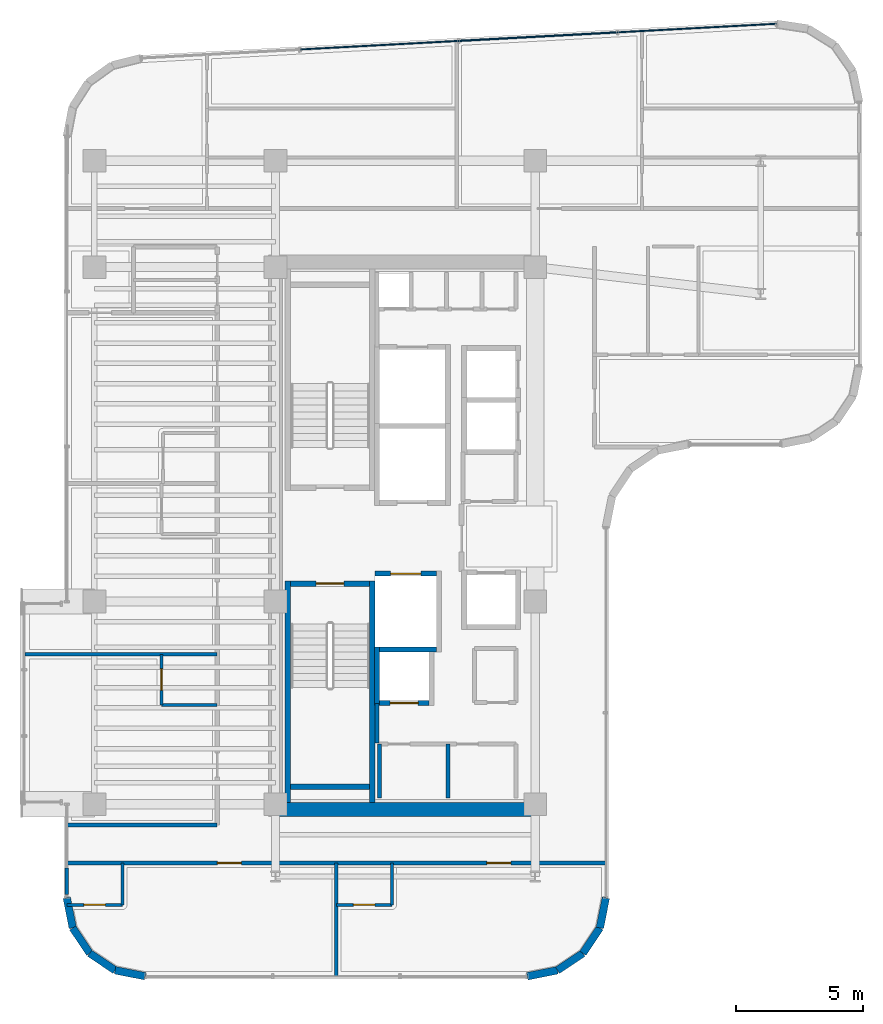
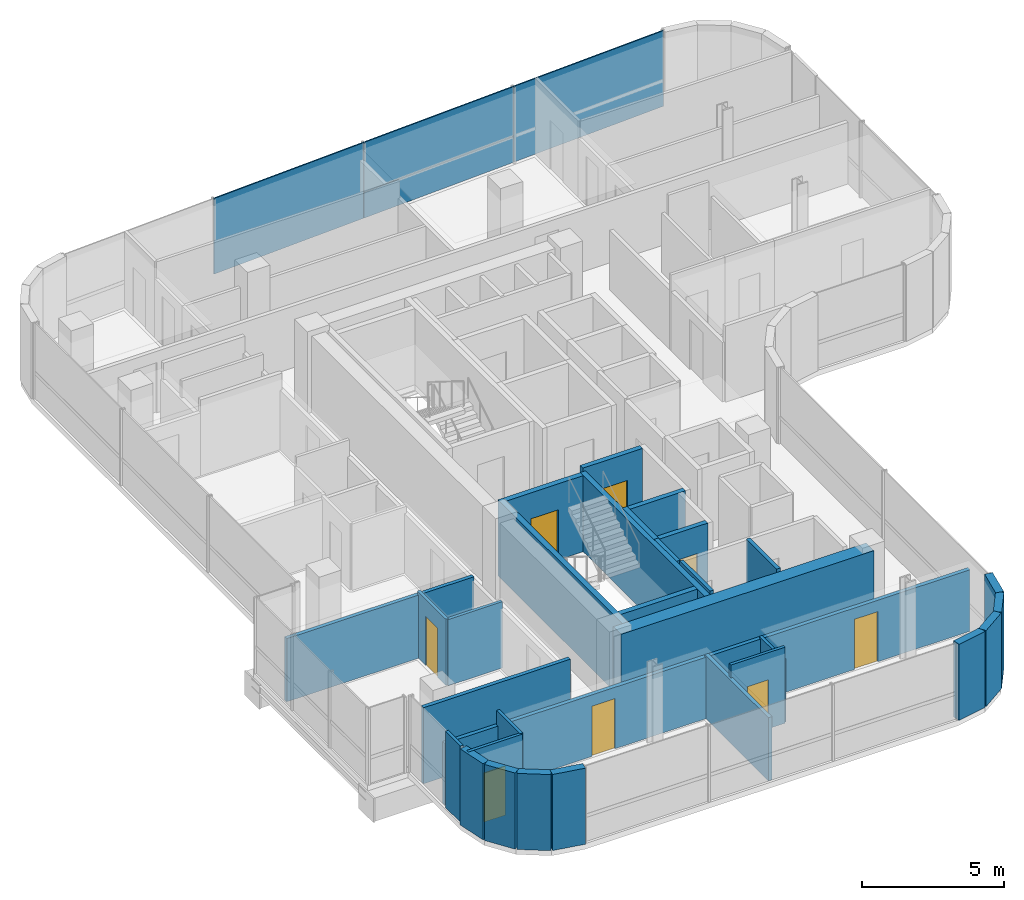
# One storey, part 18 of 24: 31 walls, 8 doors, 4 plates, 8 openings, 1 element without a shape of its own.
"""IFC4 building model written with IfcOpenShell, lengths in metres."""

from ifc_helpers import new_model, si_unit, direction, frame, frame_2d, origin, origin_2d, place, context, subcontext, project, spatial, rectangle, extrude, source, transform, mapped, material, layer, layer_set, type_object, element, fill, aggregate, save


model = new_model("IFC4")

# Units and contexts
model_context = context("Model", 3, precision=1e-05, world=origin(), true_north=direction((0.0, 1.0)))
body_context = subcontext(model_context, "Body", "Model", "MODEL_VIEW")
ifc_project = project(units=[si_unit("LENGTHUNIT", "METRE"), si_unit("AREAUNIT", "SQUARE_METRE"), si_unit("VOLUMEUNIT", "CUBIC_METRE"), si_unit("PLANEANGLEUNIT", "RADIAN"), si_unit("MASSUNIT", "GRAM", prefix="KILO")], contexts=[model_context])

# Site, building, storey
site_placement = place(None, origin())
site = spatial("IfcSite", under=ifc_project, at=site_placement, CompositionType="ELEMENT")
building_placement = place(site_placement, origin())
building = spatial("IfcBuilding", under=site, at=building_placement, Name="Valdorenza Pilgrim Sanctuary Tower", CompositionType="ELEMENT")
storey_placement = place(building_placement, frame((0.0, 0.0, 230.0)))
storey = spatial("IfcBuildingStorey", under=building, at=storey_placement, Name="L59", CompositionType="ELEMENT", Elevation=230.0)

# Curtain wall, plates
ifc_material_1 = material(Name="Curtain-wall IGU glazing", Category="glass")
curtain_wall_type = type_object("IfcCurtainWallType", Name="CW-SYS-02", PredefinedType="NOTDEFINED", material=ifc_material_1)
curtain_wall_placement = place(storey_placement, origin())
curtain_wall = element("IfcCurtainWall", 1, at=curtain_wall_placement, inside=storey, type_object=curtain_wall_type, Name="L59 Curtain Wall CW-L59-1-6", PredefinedType="NOTDEFINED")
ifc_material_2 = material(Name="Honed travertine limestone", Category="masonry")
ifc_layer_1 = layer(ifc_material_2, 0.050048828125, Name="Honed travertine limestone")
ifc_layer_set_1 = layer_set([ifc_layer_1], Name="Honed travertine limestone")
plate_type_1 = type_object("IfcPlateType", Name="CW-SPN-TRV", PredefinedType="USERDEFINED", material=ifc_layer_set_1)
shared_shape_1 = source(origin(), body_context, "Body", "SweptSolid", [
    extrude(rectangle(XDim=6.2587890625, YDim=0.06005859375, at=origin_2d()), origin(), (0.0, 0.0, 1.0), 1.10009765625),
])
plate_1_placement = place(storey_placement, frame((-12.281982421875, 19.699951171875, 0.010009765625), z_axis=(0.0, 0.0, 1.0), x_axis=(0.998547034311, 0.053887106711, 0.0)))
plate_1 = element("IfcPlate", 2, at=plate_1_placement, type_object=plate_type_1, Name="CW-L59-1-6 Travertine Spandrel 3", ObjectType="SPANDREL", PredefinedType="USERDEFINED", context=body_context, shape_type="MappedRepresentation", body=[
    mapped(shared_shape_1, transform((0.0, 0.0, 0.0), x_axis=(1.0, 0.0, 0.0), y_axis=(0.0, 1.0, 0.0), z_axis=(0.0, 0.0, 1.0), scale=1.0)),
])
ifc_material_3 = material(Name="Ceramic-fritted low-E IGU glazing", Category="glass")
ifc_layer_2 = layer(ifc_material_3, 0.035888671875, Name="Ceramic-fritted low-E IGU glazing")
ifc_layer_set_2 = layer_set([ifc_layer_2], Name="Ceramic-fritted low-E IGU glazing")
plate_type_2 = type_object("IfcPlateType", Name="CW-GLZ-IGU", PredefinedType="USERDEFINED", material=ifc_layer_set_2)
shared_shape_2 = source(origin(), body_context, "Body", "SweptSolid", [
    extrude(rectangle(XDim=6.2587890625, YDim=0.050048828125, at=origin_2d()), origin(), (0.0, 0.0, 1.0), 2.1201171875),
])
plate_2_placement = place(storey_placement, frame((-12.281982421875, 19.699951171875, 1.1298828125), z_axis=(0.0, 0.0, 1.0), x_axis=(0.998547034311, 0.053887106711, 0.0)))
plate_2 = element("IfcPlate", 3, at=plate_2_placement, type_object=plate_type_2, Name="CW-L59-1-6 Facade Panel 3", ObjectType="GLAZING", PredefinedType="USERDEFINED", context=body_context, shape_type="MappedRepresentation", body=[
    mapped(shared_shape_2, transform((0.0, 0.0, 0.0), x_axis=(1.0, 0.0, 0.0), y_axis=(0.0, 1.0, 0.0), z_axis=(0.0, 0.0, 1.0), scale=1.0)),
])
shared_shape_3 = source(origin(), body_context, "Body", "SweptSolid", [
    extrude(rectangle(XDim=6.2587890625, YDim=0.050048828125, at=origin_2d()), origin(), (0.0, 0.0, 1.0), 3.239990234375),
])
plate_3_placement = place(storey_placement, frame((-18.551513671875, 19.36181640625, 0.009765625), z_axis=(0.0, 0.0, 1.0), x_axis=(0.998547034311, 0.053887106711, 0.0)))
plate_3 = element("IfcPlate", 4, at=plate_3_placement, type_object=plate_type_2, Name="CW-L59-1-6 Full-Height Facade Panel 2", ObjectType="GLAZING", PredefinedType="USERDEFINED", context=body_context, shape_type="MappedRepresentation", body=[
    mapped(shared_shape_3, transform((0.0, 0.0, 0.0), x_axis=(1.0, 0.0, 0.0), y_axis=(0.0, 1.0, 0.0), z_axis=(0.0, 0.0, 1.0), scale=1.0)),
])
plate_4_placement = place(storey_placement, frame((-6.012451171875, 20.038330078125, 0.009765625), z_axis=(0.0, 0.0, 1.0), x_axis=(0.998547034311, 0.053887106711, 0.0)))
plate_4 = element("IfcPlate", 5, at=plate_4_placement, type_object=plate_type_2, Name="CW-L59-1-6 Full-Height Facade Panel 4", ObjectType="GLAZING", PredefinedType="USERDEFINED", context=body_context, shape_type="MappedRepresentation", body=[
    mapped(shared_shape_3, transform((0.0, 0.0, 0.0), x_axis=(1.0, 0.0, 0.0), y_axis=(0.0, 1.0, 0.0), z_axis=(0.0, 0.0, 1.0), scale=1.0)),
])
aggregate(curtain_wall, [plate_3, plate_1, plate_2, plate_4])

# Walls
ifc_material_4 = material(Name="Acoustic twin-stud gypsum partition", Category="gypsum")
ifc_layer_3 = layer(ifc_material_4, 0.159912109375, Name="Acoustic twin-stud gypsum partition")
ifc_layer_set_3 = layer_set([ifc_layer_3], Name="Acoustic twin-stud gypsum partition")
wall_type_1 = type_object("IfcWallType", Name="WAL-COR-160", PredefinedType="PARTITIONING", material=ifc_layer_set_3)
wall_1_placement = place(storey_placement, frame((-18.64990234375, -8.179931640625, 0.0), z_axis=(0.0, 0.0, 1.0), x_axis=(0.0, 1.0, 0.0)))
element("IfcWall", 6, at=wall_1_placement, inside=storey, type_object=wall_type_1, Name="L59 Core A South Lift Hall West Wall", PredefinedType="PARTITIONING", context=body_context, shape_type="SweptSolid", body=[
    extrude(rectangle(XDim=1.559814453125, YDim=0.159912109375, at=frame_2d((0.77978515625, 0.0))), origin(), (0.0, 0.0, 1.0), 3.260009765625),
])
wall_2_placement = place(storey_placement, frame((-15.85009765625, -10.35009765625, 0.0), z_axis=(0.0, 0.0, 1.0), x_axis=(0.0, 1.0, 0.0)))
element("IfcWall", 7, at=wall_2_placement, inside=storey, type_object=wall_type_1, Name="L59 Freed Shaft 1 Split Wall", PredefinedType="PARTITIONING", context=body_context, shape_type="SweptSolid", body=[
    extrude(rectangle(XDim=2.130126953125, YDim=0.159912109375, at=frame_2d((1.06494140625, 0.0))), origin(), (0.0, 0.0, 1.0), 3.260009765625),
])

# Wall, openings, doors
wall_3_placement = place(storey_placement, frame((-30.889892578125, -12.919921875, 0.0), z_axis=(0.0, 0.0, 1.0), x_axis=(1.0, 0.0, 0.0)))
wall_3 = element("IfcWall", 8, at=wall_3_placement, inside=storey, type_object=wall_type_1, Name="L59 South Wing Corridor Wall", PredefinedType="PARTITIONING", context=body_context, shape_type="SweptSolid", body=[
    extrude(rectangle(XDim=21.27978515625, YDim=0.159912109375, at=frame_2d((10.639892578125, 0.0))), origin(), (0.0, 0.0, 1.0), 2.634033203125),
])
opening_1_placement = place(wall_3_placement, frame((5.945068359375, 0.0, 0.0)))
opening_1 = element("IfcOpeningElement", 9, at=opening_1_placement, cuts=wall_3, Name="Opening DR-UN1", PredefinedType="OPENING", context=body_context, shape_type="SweptSolid", body=[
    extrude(rectangle(XDim=0.949951171875, YDim=2.14990234375, at=frame_2d((0.47509765625, 1.074951171875))), frame((0.0, 0.0947265625, 0.0), z_axis=(0.0, -1.0, 0.0), x_axis=(1.0, 0.0, 0.0)), (0.0, 0.0, 1.0), 0.189697265625),
])
opening_2_placement = place(wall_3_placement, frame((16.5849609375, 0.0, 0.0)))
opening_2 = element("IfcOpeningElement", 10, at=opening_2_placement, cuts=wall_3, Name="Opening DR-UN1", PredefinedType="OPENING", context=body_context, shape_type="SweptSolid", body=[
    extrude(rectangle(XDim=0.949951171875, YDim=2.14990234375, at=frame_2d((0.47509765625, 1.074951171875))), frame((0.0, 0.0947265625, 0.0), z_axis=(0.0, -1.0, 0.0), x_axis=(1.0, 0.0, 0.0)), (0.0, 0.0, 1.0), 0.189697265625),
])
ifc_material_5 = material(Name="Solid-core European oak timber", Category="wood")
door_type_1 = type_object("IfcDoorType", Name="DR-UNIT-950", OperationType="NOTDEFINED", PredefinedType="DOOR", material=ifc_material_5)
door_1_placement = place(opening_1_placement, origin())
door_1 = element("IfcDoor", 11, at=door_1_placement, inside=storey, type_object=door_type_1, Name="L59 South Sanctuary Guest Room L59-S1A Entrance Door", OperationType="SINGLE_SWING_RIGHT", OverallHeight=2.14990234375, OverallWidth=0.949951171875, PredefinedType="DOOR", context=body_context, shape_type="SweptSolid", body=[
    extrude(rectangle(XDim=0.949951171875, YDim=2.14990234375, at=frame_2d((0.47509765625, 1.074951171875))), frame((0.0, 0.02490234375, 0.0), z_axis=(0.0, -1.0, 0.0), x_axis=(1.0, 0.0, 0.0)), (0.0, 0.0, 1.0), 0.050048828125),
])
fill(opening_1, door_1)
door_2_placement = place(opening_2_placement, origin())
door_2 = element("IfcDoor", 12, at=door_2_placement, inside=storey, type_object=door_type_1, Name="L59 South Sanctuary Guest Room L59-S1B Entrance Door", OperationType="SINGLE_SWING_RIGHT", OverallHeight=2.14990234375, OverallWidth=0.949951171875, PredefinedType="DOOR", context=body_context, shape_type="SweptSolid", body=[
    extrude(rectangle(XDim=0.949951171875, YDim=2.14990234375, at=frame_2d((0.47509765625, 1.074951171875))), frame((0.0, 0.02490234375, 0.0), z_axis=(0.0, -1.0, 0.0), x_axis=(1.0, 0.0, 0.0)), (0.0, 0.0, 1.0), 0.050048828125),
])
fill(opening_2, door_2)

# Walls
wall_4_placement = place(storey_placement, frame((-30.889892578125, -11.419921875, 0.0), z_axis=(0.0, 0.0, 1.0), x_axis=(1.0, 0.0, 0.0)))
element("IfcWall", 13, at=wall_4_placement, inside=storey, type_object=wall_type_1, Name="L59 South-West Corridor North Wall", PredefinedType="PARTITIONING", context=body_context, shape_type="SweptSolid", body=[
    extrude(rectangle(XDim=5.93994140625, YDim=0.159912109375, at=frame_2d((2.969970703125, 0.0))), origin(), (0.0, 0.0, 1.0), 3.260009765625),
])
ifc_material_6 = material(Name="Concrete C50/60", Category="concrete")
ifc_layer_4 = layer(ifc_material_6, 0.550048828125, Name="Concrete C50/60")
ifc_layer_set_4 = layer_set([ifc_layer_4], Name="Concrete C50/60")
wall_type_2 = type_object("IfcWallType", Name="WAL-COR-550", PredefinedType="SHEAR", material=ifc_layer_set_4)
wall_5_placement = place(storey_placement, frame((-22.64990234375, -10.800048828125, 0.0), z_axis=(0.0, 0.0, 1.0), x_axis=(1.0, 0.0, 0.0)))
element("IfcWall", 14, at=wall_5_placement, inside=storey, type_object=wall_type_2, Name="L59 Split Core A Shear Wall S", PredefinedType="SHEAR", context=body_context, shape_type="SweptSolid", body=[
    extrude(rectangle(XDim=10.25, YDim=0.550048828125, at=frame_2d((5.125, 0.0))), origin(), (0.0, 0.0, 1.0), 3.260009765625),
])
ifc_layer_5 = layer(ifc_material_2, 0.300048828125, Name="Honed travertine limestone")
ifc_layer_set_5 = layer_set([ifc_layer_5], Name="Honed travertine limestone")
wall_type_3 = type_object("IfcWallType", Name="WAL-EXT-300", PredefinedType="SOLIDWALL", material=ifc_layer_set_5)
wall_6_placement = place(storey_placement, frame((-9.610107421875, -14.289306640625, 0.0), z_axis=(0.0, 0.0, 1.0), x_axis=(-0.194996050505, -0.980804027463, 0.0)))
element("IfcWall", 15, at=wall_6_placement, inside=storey, type_object=wall_type_3, Name="L59 Rounded Wind-Corner Stone Pier 22", PredefinedType="SOLIDWALL", context=body_context, shape_type="SweptSolid", body=[
    extrude(rectangle(XDim=1.2158203125, YDim=0.300048828125, at=frame_2d((0.60791015625, 0.0))), origin(), (0.0, 0.0, 1.0), 3.260009765625),
])
for number, where, z_axis, x_axis, name in (
    (16, (-9.84716796875, -15.481689453125, 0.0), (0.0, 0.0, 1.0), (-0.555635100982, -0.831426265255, 0.0), "L59 Rounded Wind-Corner Stone Pier 23"),
    (17, (-10.5166015625, -16.4833984375, 0.0), (0.0, 0.0, 1.0), (-0.831426265255, -0.555635100982, 0.0), "L59 Rounded Wind-Corner Stone Pier 24"),
):
    element("IfcWall", number, at=place(storey_placement, frame(where, z_axis=z_axis, x_axis=x_axis)), inside=storey, type_object=wall_type_3, Name=name, PredefinedType="SOLIDWALL", context=body_context, shape_type="SweptSolid", body=[
        extrude(rectangle(XDim=1.204833984375, YDim=0.300048828125, at=frame_2d((0.6025390625, 0.0))), origin(), (0.0, 0.0, 1.0), 3.260009765625),
    ])
for number, where, z_axis, x_axis, name in (
    (18, (-11.518310546875, -17.15283203125, 0.0), (0.0, 0.0, 1.0), (-0.980804027463, -0.194996050505, 0.0), "L59 Rounded Wind-Corner Stone Pier 25"),
    (19, (-27.789306640625, -17.389892578125, 0.0), (0.0, 0.0, 1.0), (-0.980804027463, 0.194996050505, 0.0), "L59 Rounded Wind-Corner Stone Pier 27"),
):
    element("IfcWall", number, at=place(storey_placement, frame(where, z_axis=z_axis, x_axis=x_axis)), inside=storey, type_object=wall_type_3, Name=name, PredefinedType="SOLIDWALL", context=body_context, shape_type="SweptSolid", body=[
        extrude(rectangle(XDim=1.2158203125, YDim=0.300048828125, at=frame_2d((0.60791015625, 0.0))), origin(), (0.0, 0.0, 1.0), 3.260009765625),
    ])
for number, where, z_axis, x_axis, name in (
    (20, (-28.981689453125, -17.15283203125, 0.0), (0.0, 0.0, 1.0), (-0.831426265255, 0.555635100982, 0.0), "L59 Rounded Wind-Corner Stone Pier 28"),
    (21, (-29.9833984375, -16.4833984375, 0.0), (0.0, 0.0, 1.0), (-0.555635100982, 0.831426265255, 0.0), "L59 Rounded Wind-Corner Stone Pier 29"),
):
    element("IfcWall", number, at=place(storey_placement, frame(where, z_axis=z_axis, x_axis=x_axis)), inside=storey, type_object=wall_type_3, Name=name, PredefinedType="SOLIDWALL", context=body_context, shape_type="SweptSolid", body=[
        extrude(rectangle(XDim=1.204833984375, YDim=0.300048828125, at=frame_2d((0.6025390625, 0.0))), origin(), (0.0, 0.0, 1.0), 3.260009765625),
    ])
wall_7_placement = place(storey_placement, frame((-30.65283203125, -15.481689453125, 0.0), z_axis=(0.0, 0.0, 1.0), x_axis=(-0.194996050505, 0.980804027463, 0.0)))
element("IfcWall", 22, at=wall_7_placement, inside=storey, type_object=wall_type_3, Name="L59 Rounded Wind-Corner Stone Pier 30", PredefinedType="SOLIDWALL", context=body_context, shape_type="SweptSolid", body=[
    extrude(rectangle(XDim=1.2158203125, YDim=0.300048828125, at=frame_2d((0.60791015625, 0.0))), origin(), (0.0, 0.0, 1.0), 3.260009765625),
])
ifc_material_7 = material(Name="Moisture-resistant gypsum partition", Category="gypsum")
ifc_layer_6 = layer(ifc_material_7, 0.1201171875, Name="Moisture-resistant gypsum partition")
ifc_layer_set_6 = layer_set([ifc_layer_6], Name="Moisture-resistant gypsum partition")
wall_type_4 = type_object("IfcWallType", Name="WAL-INT-120", PredefinedType="PARTITIONING", material=ifc_layer_set_6)
wall_8_placement = place(storey_placement, frame((-27.14990234375, -6.679931640625, 0.0), z_axis=(0.0, 0.0, 1.0), x_axis=(1.0, 0.0, 0.0)))
element("IfcWall", 23, at=wall_8_placement, inside=storey, type_object=wall_type_4, Name="L59 Sanctuary Guest Room L59-W1 En-suite South Wall", PredefinedType="PARTITIONING", context=body_context, shape_type="SweptSolid", body=[
    extrude(rectangle(XDim=2.199951171875, YDim=0.1201171875, at=frame_2d((1.10009765625, 0.0))), origin(), (0.0, 0.0, 1.0), 2.839111328125),
])

# Wall, opening, door
wall_9_placement = place(storey_placement, frame((-27.14990234375, -6.679931640625, 0.0), z_axis=(0.0, 0.0, 1.0), x_axis=(0.0, 1.0, 0.0)))
wall_9 = element("IfcWall", 24, at=wall_9_placement, inside=storey, type_object=wall_type_4, Name="L59 Sanctuary Guest Room L59-W1 En-suite Door Wall", PredefinedType="PARTITIONING", context=body_context, shape_type="SweptSolid", body=[
    extrude(rectangle(XDim=2.0, YDim=0.1201171875, at=frame_2d((1.0, 0.0))), origin(), (0.0, 0.0, 1.0), 2.839111328125),
])
opening_3_placement = place(wall_9_placement, frame((0.574951171875, 0.0, 0.0)))
opening_3 = element("IfcOpeningElement", 25, at=opening_3_placement, cuts=wall_9, Name="Opening DR-WC1", PredefinedType="OPENING", context=body_context, shape_type="SweptSolid", body=[
    extrude(rectangle(XDim=0.85009765625, YDim=2.10009765625, at=frame_2d((0.425048828125, 1.050048828125))), frame((0.0, 0.074951171875, 0.0), z_axis=(0.0, -1.0, 0.0), x_axis=(1.0, 0.0, 0.0)), (0.0, 0.0, 1.0), 0.14990234375),
])
ifc_material_8 = material(Name="Moisture-resistant lacquered timber", Category="wood")
door_type_2 = type_object("IfcDoorType", Name="DR-BATH-850", OperationType="NOTDEFINED", PredefinedType="DOOR", material=ifc_material_8)
door_3_placement = place(opening_3_placement, origin())
door_3 = element("IfcDoor", 26, at=door_3_placement, inside=storey, type_object=door_type_2, Name="L59 Sanctuary Guest Room L59-W1 En-suite Bathroom Door", OperationType="SINGLE_SWING_LEFT", OverallHeight=2.10009765625, OverallWidth=0.85009765625, PredefinedType="DOOR", context=body_context, shape_type="SweptSolid", body=[
    extrude(rectangle(XDim=0.85009765625, YDim=2.10009765625, at=frame_2d((0.425048828125, 1.050048828125))), frame((0.0, 0.02490234375, 0.0), z_axis=(0.0, -1.0, 0.0), x_axis=(1.0, 0.0, 0.0)), (0.0, 0.0, 1.0), 0.050048828125),
])
fill(opening_3, door_3)

# Wall
wall_10_placement = place(storey_placement, frame((-28.68994140625, -14.570068359375, 0.0), z_axis=(0.0, 0.0, 1.0), x_axis=(0.0, 1.0, 0.0)))
element("IfcWall", 27, at=wall_10_placement, inside=storey, type_object=wall_type_4, Name="L59 South Sanctuary Guest Room L59-S1A En-suite East Wall", PredefinedType="PARTITIONING", context=body_context, shape_type="SweptSolid", body=[
    extrude(rectangle(XDim=1.650146484375, YDim=0.1201171875, at=frame_2d((0.8251953125, 0.0))), origin(), (0.0, 0.0, 1.0), 3.260009765625),
])

# Wall, opening, door
wall_11_placement = place(storey_placement, frame((-30.889892578125, -14.570068359375, 0.0), z_axis=(0.0, 0.0, 1.0), x_axis=(1.0, 0.0, 0.0)))
wall_11 = element("IfcWall", 28, at=wall_11_placement, inside=storey, type_object=wall_type_4, Name="L59 South Sanctuary Guest Room L59-S1A En-suite Door Wall", PredefinedType="PARTITIONING", context=body_context, shape_type="SweptSolid", body=[
    extrude(rectangle(XDim=2.199951171875, YDim=0.1201171875, at=frame_2d((1.10009765625, 0.0))), origin(), (0.0, 0.0, 1.0), 3.260009765625),
])
opening_4_placement = place(wall_11_placement, frame((0.675048828125, 0.0, 0.0)))
opening_4 = element("IfcOpeningElement", 29, at=opening_4_placement, cuts=wall_11, Name="Opening DR-WC1", PredefinedType="OPENING", context=body_context, shape_type="SweptSolid", body=[
    extrude(rectangle(XDim=0.85009765625, YDim=2.10009765625, at=frame_2d((0.425048828125, 1.050048828125))), frame((0.0, 0.074951171875, 0.0), z_axis=(0.0, -1.0, 0.0), x_axis=(1.0, 0.0, 0.0)), (0.0, 0.0, 1.0), 0.14990234375),
])
door_4_placement = place(opening_4_placement, origin())
door_4 = element("IfcDoor", 30, at=door_4_placement, inside=storey, type_object=door_type_2, Name="L59 South Sanctuary Guest Room L59-S1A En-suite Bathroom Door", OperationType="SINGLE_SWING_LEFT", OverallHeight=2.10009765625, OverallWidth=0.85009765625, PredefinedType="DOOR", context=body_context, shape_type="SweptSolid", body=[
    extrude(rectangle(XDim=0.85009765625, YDim=2.10009765625, at=frame_2d((0.425048828125, 1.050048828125))), frame((0.0, 0.02490234375, 0.0), z_axis=(0.0, -1.0, 0.0), x_axis=(1.0, 0.0, 0.0)), (0.0, 0.0, 1.0), 0.050048828125),
])
fill(opening_4, door_4)

# Walls
wall_12_placement = place(storey_placement, frame((-30.889892578125, -14.166748046875, 0.0), z_axis=(0.0, 0.0, 1.0), x_axis=(0.0, 1.0, 0.0)))
element("IfcWall", 31, at=wall_12_placement, inside=storey, type_object=wall_type_4, Name="L59 SW-FL1A-ENS Enclosure Wall W", PredefinedType="PARTITIONING", context=body_context, shape_type="SweptSolid", body=[
    extrude(rectangle(XDim=1.046630859375, YDim=0.1201171875, at=frame_2d((0.5234375, 0.0))), origin(), (0.0, 0.0, 1.0), 3.260009765625),
])
wall_13_placement = place(storey_placement, frame((-18.050048828125, -14.570068359375, 0.0), z_axis=(0.0, 0.0, 1.0), x_axis=(0.0, 1.0, 0.0)))
element("IfcWall", 32, at=wall_13_placement, inside=storey, type_object=wall_type_4, Name="L59 South Sanctuary Guest Room L59-S1B En-suite East Wall", PredefinedType="PARTITIONING", context=body_context, shape_type="SweptSolid", body=[
    extrude(rectangle(XDim=1.650146484375, YDim=0.1201171875, at=frame_2d((0.8251953125, 0.0))), origin(), (0.0, 0.0, 1.0), 2.7060546875),
])

# Wall, opening, door
wall_14_placement = place(storey_placement, frame((-20.25, -14.570068359375, 0.0), z_axis=(0.0, 0.0, 1.0), x_axis=(1.0, 0.0, 0.0)))
wall_14 = element("IfcWall", 33, at=wall_14_placement, inside=storey, type_object=wall_type_4, Name="L59 South Sanctuary Guest Room L59-S1B En-suite Door Wall", PredefinedType="PARTITIONING", context=body_context, shape_type="SweptSolid", body=[
    extrude(rectangle(XDim=2.199951171875, YDim=0.1201171875, at=frame_2d((1.10009765625, 0.0))), origin(), (0.0, 0.0, 1.0), 3.260009765625),
])
opening_5_placement = place(wall_14_placement, frame((0.675048828125, 0.0, 0.0)))
opening_5 = element("IfcOpeningElement", 34, at=opening_5_placement, cuts=wall_14, Name="Opening DR-WC1", PredefinedType="OPENING", context=body_context, shape_type="SweptSolid", body=[
    extrude(rectangle(XDim=0.85009765625, YDim=2.10009765625, at=frame_2d((0.425048828125, 1.050048828125))), frame((0.0, 0.074951171875, 0.0), z_axis=(0.0, -1.0, 0.0), x_axis=(1.0, 0.0, 0.0)), (0.0, 0.0, 1.0), 0.14990234375),
])
door_5_placement = place(opening_5_placement, origin())
door_5 = element("IfcDoor", 35, at=door_5_placement, inside=storey, type_object=door_type_2, Name="L59 South Sanctuary Guest Room L59-S1B En-suite Bathroom Door", OperationType="SINGLE_SWING_LEFT", OverallHeight=2.10009765625, OverallWidth=0.85009765625, PredefinedType="DOOR", context=body_context, shape_type="SweptSolid", body=[
    extrude(rectangle(XDim=0.85009765625, YDim=2.10009765625, at=frame_2d((0.425048828125, 1.050048828125))), frame((0.0, 0.02490234375, 0.0), z_axis=(0.0, -1.0, 0.0), x_axis=(1.0, 0.0, 0.0)), (0.0, 0.0, 1.0), 0.050048828125),
])
fill(opening_5, door_5)

# Wall
ifc_material_9 = material(Name="Autoclaved aerated concrete blockwork", Category="masonry")
ifc_layer_7 = layer(ifc_material_9, 0.199951171875, Name="Autoclaved aerated concrete blockwork")
ifc_layer_set_7 = layer_set([ifc_layer_7], Name="Autoclaved aerated concrete blockwork")
wall_type_5 = type_object("IfcWallType", Name="WAL-SHF-200", PredefinedType="MOVABLE", material=ifc_layer_set_7)
wall_15_placement = place(storey_placement, frame((-18.719970703125, -4.5, 0.0), z_axis=(0.0, 0.0, 1.0), x_axis=(1.0, 0.0, 0.0)))
element("IfcWall", 36, at=wall_15_placement, inside=storey, type_object=wall_type_5, Name="L59 Lift FFL-02 Hoistway Wall South", PredefinedType="MOVABLE", context=body_context, shape_type="SweptSolid", body=[
    extrude(rectangle(XDim=2.419921875, YDim=0.199951171875, at=frame_2d((1.2099609375, 0.0))), origin(), (0.0, 0.0, 1.0), 3.260009765625),
])

# Wall, opening, door
wall_16_placement = place(storey_placement, frame((-18.719970703125, -1.5, 0.0), z_axis=(0.0, 0.0, 1.0), x_axis=(1.0, 0.0, 0.0)))
wall_16 = element("IfcWall", 37, at=wall_16_placement, inside=storey, type_object=wall_type_5, Name="L59 Lift FFL-02 Hoistway Wall North", PredefinedType="MOVABLE", context=body_context, shape_type="SweptSolid", body=[
    extrude(rectangle(XDim=2.419921875, YDim=0.199951171875, at=frame_2d((1.2099609375, 0.0))), origin(), (0.0, 0.0, 1.0), 3.260009765625),
])
opening_6_placement = place(wall_16_placement, frame((0.610107421875, 0.0, 0.0)))
opening_6 = element("IfcOpeningElement", 38, at=opening_6_placement, cuts=wall_16, Name="Opening LD-02", PredefinedType="OPENING", context=body_context, shape_type="SweptSolid", body=[
    extrude(rectangle(XDim=1.199951171875, YDim=2.10009765625, at=frame_2d((0.60009765625, 1.050048828125))), frame((0.0, 0.11474609375, 0.0), z_axis=(0.0, -1.0, 0.0), x_axis=(1.0, 0.0, 0.0)), (0.0, 0.0, 1.0), 0.229736328125),
])
ifc_material_10 = material(Name="Brushed stainless steel Grade 316", Category="steel")
door_type_3 = type_object("IfcDoorType", Name="DR-LFT-1200", OperationType="DOUBLE_DOOR_SLIDING", PredefinedType="DOOR", material=ifc_material_10)
door_6_placement = place(opening_6_placement, origin())
door_6 = element("IfcDoor", 39, at=door_6_placement, inside=storey, type_object=door_type_3, Name="L59 Lift FFL-02 Sliding Landing Door", OperationType="DOUBLE_DOOR_SLIDING", OverallHeight=2.10009765625, OverallWidth=1.199951171875, PredefinedType="DOOR", context=body_context, shape_type="SweptSolid", body=[
    extrude(rectangle(XDim=1.199951171875, YDim=2.10009765625, at=frame_2d((0.60009765625, 1.050048828125))), frame((0.0, 0.02490234375, 0.0), z_axis=(0.0, -1.0, 0.0), x_axis=(1.0, 0.0, 0.0)), (0.0, 0.0, 1.0), 0.050048828125),
])
fill(opening_6, door_6)

# Wall
wall_17_placement = place(storey_placement, frame((-18.64990234375, -6.699951171875, 0.0), z_axis=(0.0, 0.0, 1.0), x_axis=(0.0, 1.0, 0.0)))
element("IfcWall", 40, at=wall_17_placement, inside=storey, type_object=wall_type_5, Name="L59 Lift PL-11 Hoistway Wall West", PredefinedType="MOVABLE", context=body_context, shape_type="SweptSolid", body=[
    extrude(rectangle(XDim=2.300048828125, YDim=0.199951171875, at=frame_2d((1.14990234375, 0.0))), origin(), (0.0, 0.0, 1.0), 3.260009765625),
])

# Wall, opening, door
wall_18_placement = place(storey_placement, frame((-18.550048828125, -6.60009765625, 0.0), z_axis=(0.0, 0.0, 1.0), x_axis=(1.0, 0.0, 0.0)))
wall_18 = element("IfcWall", 41, at=wall_18_placement, inside=storey, type_object=wall_type_5, Name="L59 Lift PL-11 Hoistway Wall South", PredefinedType="MOVABLE", context=body_context, shape_type="SweptSolid", body=[
    extrude(rectangle(XDim=1.949951171875, YDim=0.199951171875, at=frame_2d((0.97509765625, 0.0))), origin(), (0.0, 0.0, 1.0), 3.260009765625),
])
opening_7_placement = place(wall_18_placement, frame((0.425048828125, 0.0, 0.0)))
opening_7 = element("IfcOpeningElement", 42, at=opening_7_placement, cuts=wall_18, Name="Opening LD-01", PredefinedType="OPENING", context=body_context, shape_type="SweptSolid", body=[
    extrude(rectangle(XDim=1.10009765625, YDim=2.10009765625, at=frame_2d((0.550048828125, 1.050048828125))), frame((0.0, 0.11474609375, 0.0), z_axis=(0.0, -1.0, 0.0), x_axis=(1.0, 0.0, 0.0)), (0.0, 0.0, 1.0), 0.229736328125),
])
door_type_4 = type_object("IfcDoorType", Name="DR-LFT-1100", OperationType="DOUBLE_DOOR_SLIDING", PredefinedType="DOOR", material=ifc_material_10)
door_7_placement = place(opening_7_placement, origin())
door_7 = element("IfcDoor", 43, at=door_7_placement, inside=storey, type_object=door_type_4, Name="L59 Lift PL-11 Sliding Landing Door", OperationType="DOUBLE_DOOR_SLIDING", OverallHeight=2.10009765625, OverallWidth=1.10009765625, PredefinedType="DOOR", context=body_context, shape_type="SweptSolid", body=[
    extrude(rectangle(XDim=1.10009765625, YDim=2.10009765625, at=frame_2d((0.550048828125, 1.050048828125))), frame((0.0, 0.02490234375, 0.0), z_axis=(0.0, -1.0, 0.0), x_axis=(1.0, 0.0, 0.0)), (0.0, 0.0, 1.0), 0.050048828125),
])
fill(opening_7, door_7)

# Walls
ifc_material_11 = material(Name="Concrete C40/50", Category="concrete")
ifc_layer_8 = layer(ifc_material_11, 0.219970703125, Name="Concrete C40/50")
ifc_layer_set_8 = layer_set([ifc_layer_8], Name="Concrete C40/50")
wall_type_6 = type_object("IfcWallType", Name="WAL-STR-SHF-220", PredefinedType="SHEAR", material=ifc_layer_set_8)
for number, where, z_axis, x_axis, name in (
    (44, (-22.159912109375, -10.52490234375, 0.0), (0.0, 0.0, 1.0), (0.0, 1.0, 0.0), "L59 ST-A2 Structural Stairwell Wall W"),
    (45, (-18.830078125, -10.52490234375, 0.0), (0.0, 0.0, 1.0), (0.0, 1.0, 0.0), "L59 ST-A2 Structural Stairwell Wall E"),
):
    element("IfcWall", number, at=place(storey_placement, frame(where, z_axis=z_axis, x_axis=x_axis)), inside=storey, type_object=wall_type_6, Name=name, PredefinedType="SHEAR", context=body_context, shape_type="SweptSolid", body=[
        extrude(rectangle(XDim=8.744873046875, YDim=0.219970703125, at=frame_2d((4.37255859375, 0.0))), origin(), (0.0, 0.0, 1.0), 3.260009765625),
    ])
wall_19_placement = place(storey_placement, frame((-22.050048828125, -9.909912109375, 0.0), z_axis=(0.0, 0.0, 1.0), x_axis=(1.0, 0.0, 0.0)))
element("IfcWall", 46, at=wall_19_placement, inside=storey, type_object=wall_type_6, Name="L59 ST-A2 Structural Stairwell Wall S", PredefinedType="SHEAR", context=body_context, shape_type="SweptSolid", body=[
    extrude(rectangle(XDim=3.110107421875, YDim=0.219970703125, at=frame_2d((1.55517578125, 0.0))), origin(), (0.0, 0.0, 1.0), 3.260009765625),
])

# Wall, opening, door
wall_20_placement = place(storey_placement, frame((-22.050048828125, -1.889892578125, 0.0), z_axis=(0.0, 0.0, 1.0), x_axis=(1.0, 0.0, 0.0)))
wall_20 = element("IfcWall", 47, at=wall_20_placement, inside=storey, type_object=wall_type_6, Name="L59 ST-A2 Structural Stairwell Wall N", PredefinedType="SHEAR", context=body_context, shape_type="SweptSolid", body=[
    extrude(rectangle(XDim=3.110107421875, YDim=0.219970703125, at=frame_2d((1.55517578125, 0.0))), origin(), (0.0, 0.0, 1.0), 3.260009765625),
])
opening_8_placement = place(wall_20_placement, frame((1.0, 0.0, 0.0)))
opening_8 = element("IfcOpeningElement", 48, at=opening_8_placement, cuts=wall_20, Name="Opening DR-ST1", PredefinedType="OPENING", context=body_context, shape_type="SweptSolid", body=[
    extrude(rectangle(XDim=1.10009765625, YDim=2.14990234375, at=frame_2d((0.550048828125, 1.074951171875))), frame((0.0, 0.125, 0.0), z_axis=(0.0, -1.0, 0.0), x_axis=(1.0, 0.0, 0.0)), (0.0, 0.0, 1.0), 0.249755859375),
])
ifc_material_12 = material(Name="Painted galvanized steel", Category="steel")
door_type_5 = type_object("IfcDoorType", Name="DR-STAIR-1100", OperationType="NOTDEFINED", PredefinedType="DOOR", material=ifc_material_12)
door_8_placement = place(opening_8_placement, origin())
door_8 = element("IfcDoor", 49, at=door_8_placement, inside=storey, type_object=door_type_5, Name="L59 Exit Stair ST-A2 Door", OperationType="SINGLE_SWING_RIGHT", OverallHeight=2.14990234375, OverallWidth=1.10009765625, PredefinedType="DOOR", context=body_context, shape_type="SweptSolid", body=[
    extrude(rectangle(XDim=1.10009765625, YDim=2.14990234375, at=frame_2d((0.550048828125, 1.074951171875))), frame((0.0, 0.02490234375, 0.0), z_axis=(0.0, -1.0, 0.0), x_axis=(1.0, 0.0, 0.0)), (0.0, 0.0, 1.0), 0.050048828125),
])
fill(opening_8, door_8)

# Walls
ifc_layer_9 = layer(ifc_material_4, 0.14990234375, Name="Acoustic twin-stud gypsum partition")
ifc_layer_set_9 = layer_set([ifc_layer_9], Name="Acoustic twin-stud gypsum partition")
wall_type_7 = type_object("IfcWallType", Name="WAL-UNT-150", PredefinedType="PARTITIONING", material=ifc_layer_set_9)
wall_21_placement = place(storey_placement, frame((-18.550048828125, -10.35009765625, 0.0), z_axis=(0.0, 0.0, 1.0), x_axis=(0.0, 1.0, 0.0)))
element("IfcWall", 50, at=wall_21_placement, inside=storey, type_object=wall_type_7, Name="L59 Freed Shaft 1 West Wall", PredefinedType="PARTITIONING", context=body_context, shape_type="SweptSolid", body=[
    extrude(rectangle(XDim=2.130126953125, YDim=0.14990234375, at=frame_2d((1.06494140625, 0.0))), origin(), (0.0, 0.0, 1.0), 3.260009765625),
])
wall_22_placement = place(storey_placement, frame((-32.5400390625, -4.679931640625, 0.0), z_axis=(0.0, 0.0, 1.0), x_axis=(1.0, 0.0, 0.0)))
element("IfcWall", 51, at=wall_22_placement, inside=storey, type_object=wall_type_7, Name="L59 West Apt Demising 1", PredefinedType="PARTITIONING", context=body_context, shape_type="SweptSolid", body=[
    extrude(rectangle(XDim=7.590087890625, YDim=0.14990234375, at=frame_2d((3.794921875, 0.0))), origin(), (0.0, 0.0, 1.0), 2.7060546875),
])
wall_23_placement = place(storey_placement, frame((-20.25, -17.389892578125, 0.0), z_axis=(0.0, 0.0, 1.0), x_axis=(0.0, 1.0, 0.0)))
element("IfcWall", 52, at=wall_23_placement, inside=storey, type_object=wall_type_7, Name="L59 South Sanctuary Guest Room L59-S1 Split Wall", PredefinedType="PARTITIONING", context=body_context, shape_type="SweptSolid", body=[
    extrude(rectangle(XDim=4.469970703125, YDim=0.14990234375, at=frame_2d((2.23486328125, 0.0))), origin(), (0.0, 0.0, 1.0), 2.7060546875),
])

save(model, "model.ifc")
